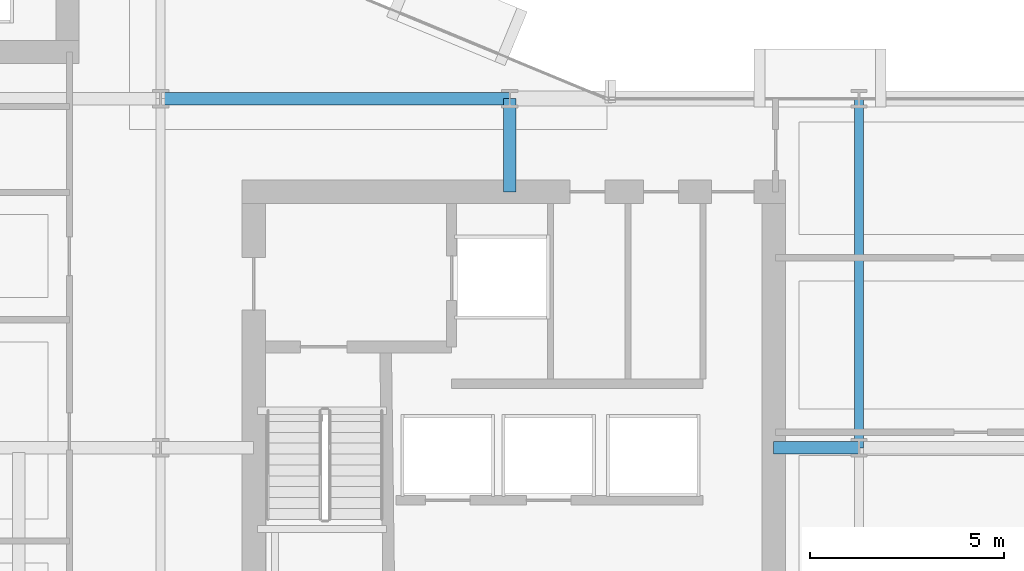
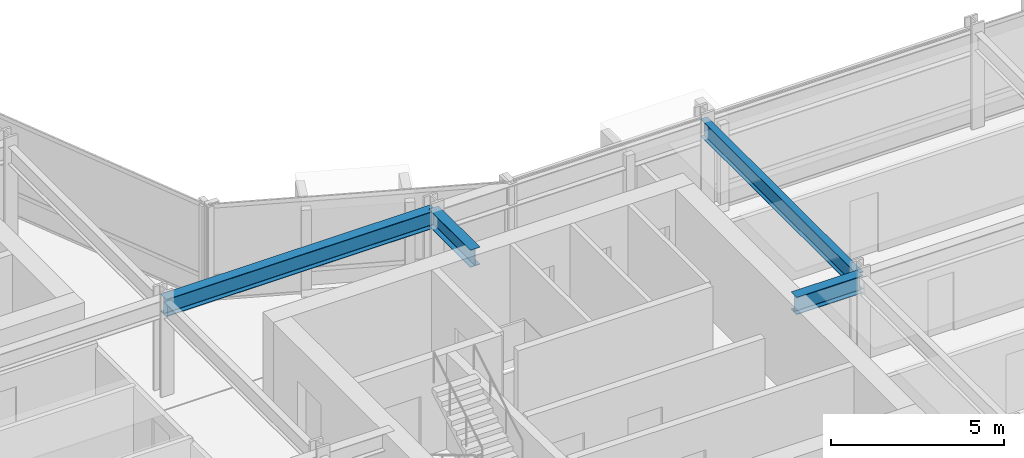
# One storey, part 15 of 35: 4 beams.
"""IFC4 building model written with IfcOpenShell, lengths in metres."""

import ifcopenshell
import ifcopenshell.guid

model = None  # the IFC model being written
_history = None  # IfcOwnerHistory: only IFC2X3 demands one
_inside = {}  # id of a spatial element -> (the spatial element, [elements in it])
_under = {}  # id of a project, library or spatial element -> (it, [spatial elements below it])
_declared = {}  # id of a project -> (the project, [libraries it declares])
_typed = {}  # id of a type object -> (the type object, [elements of that type])
_made_of = {}  # id of a material, layer set ... -> (it, [elements and type objects made of it])


def new_model(schema):
    """Start an empty IFC model of exactly this schema.

    Asked for "IFC4X3", IfcOpenShell would pick the latest addendum, in which some entities
    have other attributes; the version numbers below select the first issue.
    IFC2X3 requires an IfcOwnerHistory on every rooted entity: one is made here for all.
    """
    global model, _history
    if schema == "IFC4X3":
        model = ifcopenshell.file(schema_version=(4, 3, 0, 0))
    else:
        model = ifcopenshell.file(schema=schema)
    _inside.clear()
    _under.clear()
    _declared.clear()
    _typed.clear()
    _made_of.clear()
    _history = None
    if model.schema == "IFC2X3":
        org = make("IfcOrganization", Name="unknown")
        user = make(
            "IfcPersonAndOrganization",
            ThePerson=make("IfcPerson", FamilyName="unknown"),
            TheOrganization=org,
        )
        app = make(
            "IfcApplication",
            ApplicationDeveloper=org,
            Version="unknown",
            ApplicationFullName="unknown",
            ApplicationIdentifier="unknown",
        )
        _history = make(
            "IfcOwnerHistory",
            OwningUser=user,
            OwningApplication=app,
            ChangeAction="ADDED",
            CreationDate=0,
        )
    return model


def make(cls, **values):
    """One entity of the class cls with the attributes given. An attribute that is None is left unset."""
    return model.create_entity(
        cls, **{name: value for name, value in values.items() if value is not None}
    )


def rooted(cls, **values):
    """An entity with a GlobalId (a new one), such as an element, a storey or a relation."""
    return make(cls, GlobalId=ifcopenshell.guid.new(), OwnerHistory=_history, **values)


def si_unit(unit_type, name, prefix=None):
    """IfcSIUnit, for example si_unit("LENGTHUNIT", "METRE", prefix="MILLI")."""
    return make("IfcSIUnit", UnitType=unit_type, Prefix=prefix, Name=name)


def assignment(units):
    """IfcUnitAssignment: the units of a project."""
    return None if units is None else make("IfcUnitAssignment", Units=units)


def point(xyz):
    """IfcCartesianPoint."""
    return None if xyz is None else make("IfcCartesianPoint", Coordinates=xyz)


def direction(xyz):
    """IfcDirection."""
    return None if xyz is None else make("IfcDirection", DirectionRatios=xyz)


def frame(location, z_axis=None, x_axis=None):
    """IfcAxis2Placement3D, a coordinate frame: its origin and axes. An axis left out is left unset."""
    return make(
        "IfcAxis2Placement3D",
        Location=point(location),
        Axis=direction(z_axis),
        RefDirection=direction(x_axis),
    )


def frame_2d(location, x_axis=None):
    """IfcAxis2Placement2D, a coordinate frame in the plane: its origin and x axis."""
    return make(
        "IfcAxis2Placement2D", Location=point(location), RefDirection=direction(x_axis)
    )


def origin():
    """The frame at (0, 0, 0) with its axes left unset."""
    return frame((0.0, 0.0, 0.0))


def origin_2d():
    """The frame at (0, 0) in the plane with its x axis left unset."""
    return frame_2d((0.0, 0.0))


def place(relative_to, where):
    """IfcLocalPlacement: puts the frame where relative to a parent placement (None: the world)."""
    return make(
        "IfcLocalPlacement", PlacementRelTo=relative_to, RelativePlacement=where
    )


def context(
    kind, dimensions, precision=None, world=None, true_north=None, identifier=None
):
    """IfcGeometricRepresentationContext, for example the 3D "Model" context."""
    return make(
        "IfcGeometricRepresentationContext",
        ContextIdentifier=identifier,
        ContextType=kind,
        CoordinateSpaceDimension=dimensions,
        Precision=precision,
        WorldCoordinateSystem=world,
        TrueNorth=true_north,
    )


def subcontext(parent, identifier, kind, view, scale=None):
    """IfcGeometricRepresentationSubContext, for example "Body" below "Model"."""
    return make(
        "IfcGeometricRepresentationSubContext",
        ContextIdentifier=identifier,
        ContextType=kind,
        ParentContext=parent,
        TargetScale=scale,
        TargetView=view,
    )


def project(units=None, contexts=None):
    """IfcProject with its units and contexts."""
    return rooted(
        "IfcProject",
        Name="project",
        RepresentationContexts=contexts,
        UnitsInContext=assignment(units),
    )


def spatial(cls, under=None, at=None, **own):
    """A site, building, storey or space (cls), placed at a placement, below another one or the project."""
    s = rooted(cls, ObjectPlacement=at, **own)
    if under is not None:
        _under.setdefault(under.id(), (under, []))[1].append(s)
    return s


def profile(cls, at=None, kind="AREA", **sizes):
    """A parametric profile (cls). Its sizes go by their IFC names, for example OverallWidth=200.0."""
    return make(cls, ProfileType=kind, Position=at, **sizes)


def i_section(**sizes):
    """IfcIShapeProfileDef."""
    return profile("IfcIShapeProfileDef", **sizes)


def extrude(swept, where, along, depth):
    """IfcExtrudedAreaSolid: the profile swept, set in the frame where, extruded along a direction by depth."""
    return make(
        "IfcExtrudedAreaSolid",
        SweptArea=swept,
        Position=where,
        ExtrudedDirection=direction(along),
        Depth=depth,
    )


def shape(context_of_items, identifier, shape_type, items):
    """IfcShapeRepresentation: the items that make up one representation, for example the "Body"."""
    return make(
        "IfcShapeRepresentation",
        ContextOfItems=context_of_items,
        RepresentationIdentifier=identifier,
        RepresentationType=shape_type,
        Items=items,
    )


def material(Name=None, Category=None):
    """IfcMaterial."""
    return make("IfcMaterial", Name=Name, Category=Category)


def material_profile(
    of_material, cross_section, Name=None, Category=None, Priority=None
):
    """IfcMaterialProfile: a cross section and its material."""
    return make(
        "IfcMaterialProfile",
        Name=Name,
        Material=of_material,
        Profile=cross_section,
        Priority=Priority,
        Category=Category,
    )


def profile_set(profiles, Name=None, composite=None):
    """IfcMaterialProfileSet."""
    return make(
        "IfcMaterialProfileSet",
        Name=Name,
        MaterialProfiles=profiles,
        CompositeProfile=composite,
    )


def made_of(thing, what):
    """Note that an element or type object is made of a material, layer set ...; save() writes the relation."""
    if what is not None:
        _made_of.setdefault(what.id(), (what, []))[1].append(thing)
    return thing


def type_object(cls, material=None, **own):
    """A type object (cls), such as IfcWallType, which elements share."""
    return made_of(rooted(cls, **own), material)


def element(
    cls,
    number,
    at=None,
    inside=None,
    cuts=None,
    type_object=None,
    material=None,
    context=None,
    identifier="Body",
    shape_type=None,
    held_by="IfcProductDefinitionShape",
    body=None,
    shapes=None,
    **own,
):
    """One element of the class cls, such as IfcWall. Its Tag is "e" and its number.

    at: its placement. inside: the storey or other place that contains it. cuts: it is an
    opening in that element (IfcRelVoidsElement). A single representation is given by context,
    identifier, shape_type and body (its items); several are given by shapes. held_by: the class
    of the entity that holds the representations. save() writes the other relations.
    """
    e = rooted(cls, Tag="e%d" % number, ObjectPlacement=at, **own)
    if body is not None:
        shapes = [shape(context, identifier, shape_type, body)]
    if shapes is not None:
        e.Representation = make(held_by, Representations=shapes)
    if inside is not None:
        _inside.setdefault(inside.id(), (inside, []))[1].append(e)
    if cuts is not None:
        rooted(
            "IfcRelVoidsElement", RelatingBuildingElement=cuts, RelatedOpeningElement=e
        )
    if type_object is not None:
        _typed.setdefault(type_object.id(), (type_object, []))[1].append(e)
    return made_of(e, material)


def aggregate(whole, parts):
    """IfcRelAggregates: a whole, such as a stair, and the parts it consists of."""
    return rooted("IfcRelAggregates", RelatingObject=whole, RelatedObjects=parts)


def save(model, path):
    """Write the relations noted so far, then the file.

    IfcRelAggregates (storeys below a building ...), IfcRelContainedInSpatialStructure (elements
    in a storey), IfcRelDefinesByType, IfcRelAssociatesMaterial and IfcRelDeclares: one each for
    every whole, place, type object, material and project.
    """
    for whole, parts in _under.values():
        aggregate(whole, parts)
    for where, things in _inside.values():
        rooted(
            "IfcRelContainedInSpatialStructure",
            RelatedElements=things,
            RelatingStructure=where,
        )
    for kind, things in _typed.values():
        rooted("IfcRelDefinesByType", RelatedObjects=things, RelatingType=kind)
    for what, things in _made_of.values():
        rooted("IfcRelAssociatesMaterial", RelatedObjects=things, RelatingMaterial=what)
    for by, libraries in _declared.values():
        rooted("IfcRelDeclares", RelatingContext=by, RelatedDefinitions=libraries)
    model.write(path)


model = new_model("IFC4")

# Units and contexts
model_context = context("Model", 3, precision=1e-05, world=origin(), true_north=direction((0.0, 1.0)))
body_context = subcontext(model_context, "Body", "Model", "MODEL_VIEW")
ifc_project = project(units=[si_unit("LENGTHUNIT", "METRE"), si_unit("AREAUNIT", "SQUARE_METRE"), si_unit("VOLUMEUNIT", "CUBIC_METRE"), si_unit("PLANEANGLEUNIT", "RADIAN"), si_unit("MASSUNIT", "GRAM", prefix="KILO")], contexts=[model_context])

# Site, building, storey
site_placement = place(None, origin())
site = spatial("IfcSite", under=ifc_project, at=site_placement, CompositionType="ELEMENT")
building_placement = place(site_placement, origin())
building = spatial("IfcBuilding", under=site, at=building_placement, Name="Solvaryn Broadcast Tower", CompositionType="ELEMENT")
storey_placement = place(building_placement, frame((0.0, 0.0, 80.39990234375)))
storey = spatial("IfcBuildingStorey", under=building, at=storey_placement, Name="L19", CompositionType="ELEMENT", Elevation=80.39990234375)

# Beams
ifc_material_1 = material(Name="Steel ASTM A992 Grade 50", Category="steel")
ifc_material_profile_1 = material_profile(ifc_material_1, i_section(OverallWidth=0.323974609375, OverallDepth=0.611083984375, WebThickness=0.0126953125, FlangeThickness=0.01904296875, FilletRadius=0.014892578125, at=origin_2d()))
ifc_profile_set_1 = profile_set([ifc_material_profile_1], Name="Steel ASTM A992 Grade 50")
beam_type_1 = type_object("IfcBeamType", Name="BM-B1-W24X104", PredefinedType="BEAM", material=ifc_profile_set_1)
beam_1_placement = place(storey_placement, frame((27.0, 27.0, 3.064697265625), z_axis=(1.0, 0.0, 0.0), x_axis=(0.0, 1.0, 0.0)))
element("IfcBeam", 1, at=beam_1_placement, inside=storey, type_object=beam_type_1, Name="L19 Primary Beam X (27-36 @ Y=27)", PredefinedType="BEAM", context=body_context, shape_type="SweptSolid", body=[
    extrude(i_section(OverallWidth=0.323974609375, OverallDepth=0.611083984375, WebThickness=0.0126953125, FlangeThickness=0.01904296875, FilletRadius=0.014892578125, at=origin_2d()), origin(), (0.0, 0.0, 1.0), 9.0),
])
beam_2_placement = place(storey_placement, frame((36.0, 24.60009765625, 3.064697265625), z_axis=(0.0, 1.0, 0.0), x_axis=(-1.0, 0.0, 0.0)))
element("IfcBeam", 2, at=beam_2_placement, inside=storey, type_object=beam_type_1, Name="L19 Core Tie Beam CTE2", PredefinedType="BEAM", context=body_context, shape_type="SweptSolid", body=[
    extrude(i_section(OverallWidth=0.323974609375, OverallDepth=0.611083984375, WebThickness=0.0126953125, FlangeThickness=0.01904296875, FilletRadius=0.014892578125, at=origin_2d()), origin(), (0.0, 0.0, 1.0), 2.39990234375),
])
beam_3_placement = place(storey_placement, frame((42.800048828125, 18.0, 3.064697265625), z_axis=(1.0, 0.0, 0.0), x_axis=(0.0, 1.0, 0.0)))
element("IfcBeam", 3, at=beam_3_placement, inside=storey, type_object=beam_type_1, Name="L19 Core Tie Beam CTE3", PredefinedType="BEAM", context=body_context, shape_type="SweptSolid", body=[
    extrude(i_section(OverallWidth=0.323974609375, OverallDepth=0.611083984375, WebThickness=0.0126953125, FlangeThickness=0.01904296875, FilletRadius=0.014892578125, at=origin_2d()), origin(), (0.0, 0.0, 1.0), 2.199951171875),
])
ifc_material_2 = material(Name="Steel ASTM A992 Grade 50", Category="steel")
ifc_material_profile_2 = material_profile(ifc_material_2, i_section(OverallWidth=0.22802734375, OverallDepth=0.60791015625, WebThickness=0.01123046875, FlangeThickness=0.017333984375, FilletRadius=0.014892578125, at=origin_2d()))
ifc_profile_set_2 = profile_set([ifc_material_profile_2], Name="Steel ASTM A992 Grade 50")
beam_type_2 = type_object("IfcBeamType", Name="BM-B2-W24X76", PredefinedType="BEAM", material=ifc_profile_set_2)
beam_4_placement = place(storey_placement, frame((45.0, 18.0, 3.066162109375), z_axis=(0.0, 1.0, 0.0), x_axis=(-1.0, 0.0, 0.0)))
element("IfcBeam", 4, at=beam_4_placement, inside=storey, type_object=beam_type_2, Name="L19 Primary Beam Y (18-27 @ X=45)", PredefinedType="BEAM", context=body_context, shape_type="SweptSolid", body=[
    extrude(i_section(OverallWidth=0.22802734375, OverallDepth=0.60791015625, WebThickness=0.01123046875, FlangeThickness=0.017333984375, FilletRadius=0.014892578125, at=origin_2d()), origin(), (0.0, 0.0, 1.0), 9.0),
])

save(model, "model.ifc")
